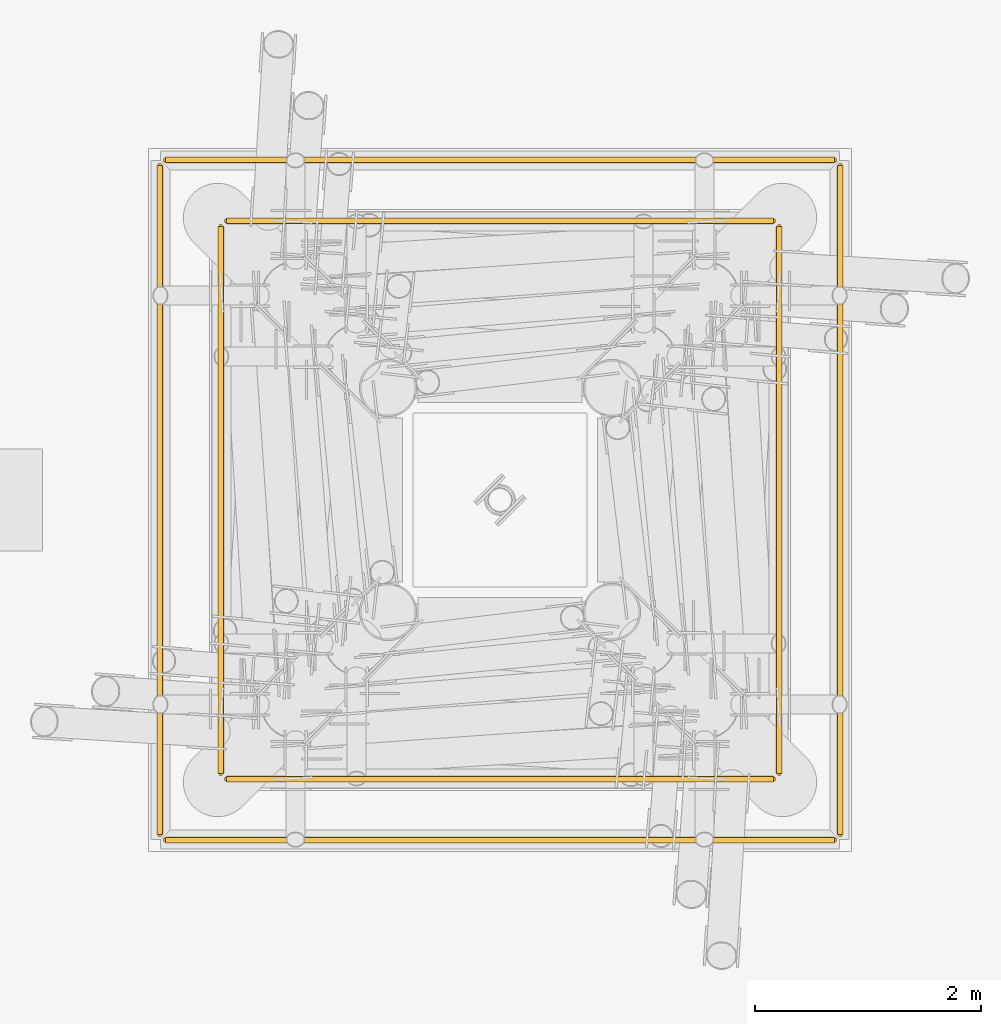
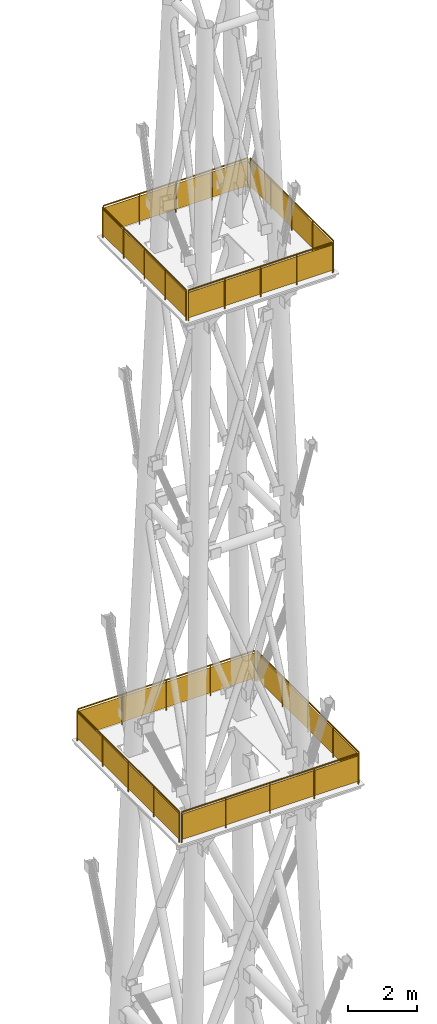
# One storey, part 25 of 25: 8 railings.
"""IFC4 building model written with IfcOpenShell, lengths in metres."""

import ifcopenshell
import ifcopenshell.guid

model = None  # the IFC model being written
_history = None  # IfcOwnerHistory: only IFC2X3 demands one
_inside = {}  # id of a spatial element -> (the spatial element, [elements in it])
_under = {}  # id of a project, library or spatial element -> (it, [spatial elements below it])
_declared = {}  # id of a project -> (the project, [libraries it declares])
_typed = {}  # id of a type object -> (the type object, [elements of that type])
_made_of = {}  # id of a material, layer set ... -> (it, [elements and type objects made of it])


def new_model(schema):
    """Start an empty IFC model of exactly this schema.

    Asked for "IFC4X3", IfcOpenShell would pick the latest addendum, in which some entities
    have other attributes; the version numbers below select the first issue.
    IFC2X3 requires an IfcOwnerHistory on every rooted entity: one is made here for all.
    """
    global model, _history
    if schema == "IFC4X3":
        model = ifcopenshell.file(schema_version=(4, 3, 0, 0))
    else:
        model = ifcopenshell.file(schema=schema)
    _inside.clear()
    _under.clear()
    _declared.clear()
    _typed.clear()
    _made_of.clear()
    _history = None
    if model.schema == "IFC2X3":
        org = make("IfcOrganization", Name="unknown")
        user = make(
            "IfcPersonAndOrganization",
            ThePerson=make("IfcPerson", FamilyName="unknown"),
            TheOrganization=org,
        )
        app = make(
            "IfcApplication",
            ApplicationDeveloper=org,
            Version="unknown",
            ApplicationFullName="unknown",
            ApplicationIdentifier="unknown",
        )
        _history = make(
            "IfcOwnerHistory",
            OwningUser=user,
            OwningApplication=app,
            ChangeAction="ADDED",
            CreationDate=0,
        )
    return model


def make(cls, **values):
    """One entity of the class cls with the attributes given. An attribute that is None is left unset."""
    return model.create_entity(
        cls, **{name: value for name, value in values.items() if value is not None}
    )


def rooted(cls, **values):
    """An entity with a GlobalId (a new one), such as an element, a storey or a relation."""
    return make(cls, GlobalId=ifcopenshell.guid.new(), OwnerHistory=_history, **values)


def si_unit(unit_type, name, prefix=None):
    """IfcSIUnit, for example si_unit("LENGTHUNIT", "METRE", prefix="MILLI")."""
    return make("IfcSIUnit", UnitType=unit_type, Prefix=prefix, Name=name)


def assignment(units):
    """IfcUnitAssignment: the units of a project."""
    return None if units is None else make("IfcUnitAssignment", Units=units)


def point(xyz):
    """IfcCartesianPoint."""
    return None if xyz is None else make("IfcCartesianPoint", Coordinates=xyz)


def direction(xyz):
    """IfcDirection."""
    return None if xyz is None else make("IfcDirection", DirectionRatios=xyz)


def frame(location, z_axis=None, x_axis=None):
    """IfcAxis2Placement3D, a coordinate frame: its origin and axes. An axis left out is left unset."""
    return make(
        "IfcAxis2Placement3D",
        Location=point(location),
        Axis=direction(z_axis),
        RefDirection=direction(x_axis),
    )


def frame_2d(location, x_axis=None):
    """IfcAxis2Placement2D, a coordinate frame in the plane: its origin and x axis."""
    return make(
        "IfcAxis2Placement2D", Location=point(location), RefDirection=direction(x_axis)
    )


def origin():
    """The frame at (0, 0, 0) with its axes left unset."""
    return frame((0.0, 0.0, 0.0))


def origin_2d():
    """The frame at (0, 0) in the plane with its x axis left unset."""
    return frame_2d((0.0, 0.0))


def place(relative_to, where):
    """IfcLocalPlacement: puts the frame where relative to a parent placement (None: the world)."""
    return make(
        "IfcLocalPlacement", PlacementRelTo=relative_to, RelativePlacement=where
    )


def context(
    kind, dimensions, precision=None, world=None, true_north=None, identifier=None
):
    """IfcGeometricRepresentationContext, for example the 3D "Model" context."""
    return make(
        "IfcGeometricRepresentationContext",
        ContextIdentifier=identifier,
        ContextType=kind,
        CoordinateSpaceDimension=dimensions,
        Precision=precision,
        WorldCoordinateSystem=world,
        TrueNorth=true_north,
    )


def subcontext(parent, identifier, kind, view, scale=None):
    """IfcGeometricRepresentationSubContext, for example "Body" below "Model"."""
    return make(
        "IfcGeometricRepresentationSubContext",
        ContextIdentifier=identifier,
        ContextType=kind,
        ParentContext=parent,
        TargetScale=scale,
        TargetView=view,
    )


def project(units=None, contexts=None):
    """IfcProject with its units and contexts."""
    return rooted(
        "IfcProject",
        Name="project",
        RepresentationContexts=contexts,
        UnitsInContext=assignment(units),
    )


def spatial(cls, under=None, at=None, **own):
    """A site, building, storey or space (cls), placed at a placement, below another one or the project."""
    s = rooted(cls, ObjectPlacement=at, **own)
    if under is not None:
        _under.setdefault(under.id(), (under, []))[1].append(s)
    return s


def profile(cls, at=None, kind="AREA", **sizes):
    """A parametric profile (cls). Its sizes go by their IFC names, for example OverallWidth=200.0."""
    return make(cls, ProfileType=kind, Position=at, **sizes)


def rectangle(**sizes):
    """IfcRectangleProfileDef."""
    return profile("IfcRectangleProfileDef", **sizes)


def circle(**sizes):
    """IfcCircleProfileDef."""
    return profile("IfcCircleProfileDef", **sizes)


def extrude(swept, where, along, depth):
    """IfcExtrudedAreaSolid: the profile swept, set in the frame where, extruded along a direction by depth."""
    return make(
        "IfcExtrudedAreaSolid",
        SweptArea=swept,
        Position=where,
        ExtrudedDirection=direction(along),
        Depth=depth,
    )


def shape(context_of_items, identifier, shape_type, items):
    """IfcShapeRepresentation: the items that make up one representation, for example the "Body"."""
    return make(
        "IfcShapeRepresentation",
        ContextOfItems=context_of_items,
        RepresentationIdentifier=identifier,
        RepresentationType=shape_type,
        Items=items,
    )


def material(Name=None, Category=None):
    """IfcMaterial."""
    return make("IfcMaterial", Name=Name, Category=Category)


def made_of(thing, what):
    """Note that an element or type object is made of a material, layer set ...; save() writes the relation."""
    if what is not None:
        _made_of.setdefault(what.id(), (what, []))[1].append(thing)
    return thing


def type_object(cls, material=None, **own):
    """A type object (cls), such as IfcWallType, which elements share."""
    return made_of(rooted(cls, **own), material)


def element(
    cls,
    number,
    at=None,
    inside=None,
    cuts=None,
    type_object=None,
    material=None,
    context=None,
    identifier="Body",
    shape_type=None,
    held_by="IfcProductDefinitionShape",
    body=None,
    shapes=None,
    **own,
):
    """One element of the class cls, such as IfcWall. Its Tag is "e" and its number.

    at: its placement. inside: the storey or other place that contains it. cuts: it is an
    opening in that element (IfcRelVoidsElement). A single representation is given by context,
    identifier, shape_type and body (its items); several are given by shapes. held_by: the class
    of the entity that holds the representations. save() writes the other relations.
    """
    e = rooted(cls, Tag="e%d" % number, ObjectPlacement=at, **own)
    if body is not None:
        shapes = [shape(context, identifier, shape_type, body)]
    if shapes is not None:
        e.Representation = make(held_by, Representations=shapes)
    if inside is not None:
        _inside.setdefault(inside.id(), (inside, []))[1].append(e)
    if cuts is not None:
        rooted(
            "IfcRelVoidsElement", RelatingBuildingElement=cuts, RelatedOpeningElement=e
        )
    if type_object is not None:
        _typed.setdefault(type_object.id(), (type_object, []))[1].append(e)
    return made_of(e, material)


def aggregate(whole, parts):
    """IfcRelAggregates: a whole, such as a stair, and the parts it consists of."""
    return rooted("IfcRelAggregates", RelatingObject=whole, RelatedObjects=parts)


def save(model, path):
    """Write the relations noted so far, then the file.

    IfcRelAggregates (storeys below a building ...), IfcRelContainedInSpatialStructure (elements
    in a storey), IfcRelDefinesByType, IfcRelAssociatesMaterial and IfcRelDeclares: one each for
    every whole, place, type object, material and project.
    """
    for whole, parts in _under.values():
        aggregate(whole, parts)
    for where, things in _inside.values():
        rooted(
            "IfcRelContainedInSpatialStructure",
            RelatedElements=things,
            RelatingStructure=where,
        )
    for kind, things in _typed.values():
        rooted("IfcRelDefinesByType", RelatedObjects=things, RelatingType=kind)
    for what, things in _made_of.values():
        rooted("IfcRelAssociatesMaterial", RelatedObjects=things, RelatingMaterial=what)
    for by, libraries in _declared.values():
        rooted("IfcRelDeclares", RelatingContext=by, RelatedDefinitions=libraries)
    model.write(path)


model = new_model("IFC4")

# Units and contexts
model_context = context("Model", 3, precision=1e-05, world=origin(), true_north=direction((0.0, 1.0)))
body_context = subcontext(model_context, "Body", "Model", "MODEL_VIEW")
ifc_project = project(units=[si_unit("LENGTHUNIT", "METRE"), si_unit("AREAUNIT", "SQUARE_METRE"), si_unit("VOLUMEUNIT", "CUBIC_METRE"), si_unit("PLANEANGLEUNIT", "RADIAN"), si_unit("MASSUNIT", "GRAM", prefix="KILO")], contexts=[model_context])

# Site, building, storey
site_placement = place(None, origin())
site = spatial("IfcSite", under=ifc_project, at=site_placement, CompositionType="ELEMENT")
building_placement = place(site_placement, origin())
building = spatial("IfcBuilding", under=site, at=building_placement, Name="Vidyagriha Tower", CompositionType="ELEMENT")
storey_placement = place(building_placement, frame((0.0, 0.0, 318.39990234375)))
storey = spatial("IfcBuildingStorey", under=building, at=storey_placement, Name="RF", CompositionType="ELEMENT", Elevation=318.39990234375)

# Railings
ifc_material = material(Name="Steel ASTM A500 Grade C galvanised", Category="steel")
railing_type = type_object("IfcRailingType", Name="Broadcast mast platform guard 1100", PredefinedType="GUARDRAIL", material=ifc_material)
railing_1_placement = place(storey_placement, frame((-2.9599609375, 9.989990234375, 23.212158203125)))
element("IfcRailing", 1, at=railing_1_placement, inside=storey, type_object=railing_type, Name="Broadcast mast platform 1 guard 1", PredefinedType="GUARDRAIL", context=body_context, shape_type="SweptSolid", body=[
    extrude(circle(Radius=0.02490234375, at=origin_2d()), frame((0.0, 0.0, 1.0751953125), z_axis=(1.0, 0.0, 0.0), x_axis=(0.0, 1.0, 0.0)), (0.0, 0.0, 1.0), 5.919921875),
    extrude(circle(Radius=0.02001953125, at=origin_2d()), origin(), (0.0, 0.0, 1.0), 1.050048828125),
    extrude(circle(Radius=0.02001953125, at=origin_2d()), frame((1.47998046875, 0.0, 0.0)), (0.0, 0.0, 1.0), 1.050048828125),
    extrude(circle(Radius=0.02001953125, at=origin_2d()), frame((2.9599609375, 0.0, 0.0)), (0.0, 0.0, 1.0), 1.050048828125),
    extrude(circle(Radius=0.02001953125, at=origin_2d()), frame((4.43994140625, 0.0, 0.0)), (0.0, 0.0, 1.0), 1.050048828125),
    extrude(circle(Radius=0.02001953125, at=origin_2d()), frame((5.919921875, 0.0, 0.0)), (0.0, 0.0, 1.0), 1.050048828125),
    extrude(rectangle(XDim=0.010009765625, YDim=0.900146484375, at=origin_2d()), frame((0.0, 0.0, 0.550048828125), z_axis=(1.0, 0.0, 0.0), x_axis=(0.0, 1.0, 0.0)), (0.0, 0.0, 1.0), 5.919921875),
])
railing_2_placement = place(storey_placement, frame((3.010009765625, 10.0400390625, 23.212158203125)))
element("IfcRailing", 2, at=railing_2_placement, inside=storey, type_object=railing_type, Name="Broadcast mast platform 1 guard 2", PredefinedType="GUARDRAIL", context=body_context, shape_type="SweptSolid", body=[
    extrude(circle(Radius=0.02490234375, at=origin_2d()), frame((0.0, 0.0, 1.0751953125), z_axis=(0.0, 1.0, 0.0), x_axis=(-1.0, 0.0, 0.0)), (0.0, 0.0, 1.0), 5.919921875),
    extrude(circle(Radius=0.02001953125, at=origin_2d()), origin(), (0.0, 0.0, 1.0), 1.050048828125),
    extrude(circle(Radius=0.02001953125, at=origin_2d()), frame((0.0, 1.47998046875, 0.0)), (0.0, 0.0, 1.0), 1.050048828125),
    extrude(circle(Radius=0.02001953125, at=origin_2d()), frame((0.0, 2.9599609375, 0.0)), (0.0, 0.0, 1.0), 1.050048828125),
    extrude(circle(Radius=0.02001953125, at=origin_2d()), frame((0.0, 4.43994140625, 0.0)), (0.0, 0.0, 1.0), 1.050048828125),
    extrude(circle(Radius=0.02001953125, at=origin_2d()), frame((0.0, 5.919921875, 0.0)), (0.0, 0.0, 1.0), 1.050048828125),
    extrude(rectangle(XDim=0.010009765625, YDim=0.900146484375, at=origin_2d()), frame((0.0, 0.0, 0.550048828125), z_axis=(0.0, 1.0, 0.0), x_axis=(-1.0, 0.0, 0.0)), (0.0, 0.0, 1.0), 5.919921875),
])
railing_3_placement = place(storey_placement, frame((2.9599609375, 16.010009765625, 23.212158203125)))
element("IfcRailing", 3, at=railing_3_placement, inside=storey, type_object=railing_type, Name="Broadcast mast platform 1 guard 3", PredefinedType="GUARDRAIL", context=body_context, shape_type="SweptSolid", body=[
    extrude(circle(Radius=0.02490234375, at=origin_2d()), frame((0.0, 0.0, 1.0751953125), z_axis=(-1.0, 0.0, 0.0), x_axis=(0.0, -1.0, 0.0)), (0.0, 0.0, 1.0), 5.919921875),
    extrude(circle(Radius=0.02001953125, at=origin_2d()), origin(), (0.0, 0.0, 1.0), 1.050048828125),
    extrude(circle(Radius=0.02001953125, at=origin_2d()), frame((-1.47998046875, 0.0, 0.0)), (0.0, 0.0, 1.0), 1.050048828125),
    extrude(circle(Radius=0.02001953125, at=origin_2d()), frame((-2.9599609375, 0.0, 0.0)), (0.0, 0.0, 1.0), 1.050048828125),
    extrude(circle(Radius=0.02001953125, at=origin_2d()), frame((-4.43994140625, 0.0, 0.0)), (0.0, 0.0, 1.0), 1.050048828125),
    extrude(circle(Radius=0.02001953125, at=origin_2d()), frame((-5.919921875, 0.0, 0.0)), (0.0, 0.0, 1.0), 1.050048828125),
    extrude(rectangle(XDim=0.010009765625, YDim=0.900146484375, at=origin_2d()), frame((0.0, 0.0, 0.550048828125), z_axis=(-1.0, 0.0, 0.0), x_axis=(0.0, -1.0, 0.0)), (0.0, 0.0, 1.0), 5.919921875),
])
railing_4_placement = place(storey_placement, frame((-3.010009765625, 15.9599609375, 23.212158203125)))
element("IfcRailing", 4, at=railing_4_placement, inside=storey, type_object=railing_type, Name="Broadcast mast platform 1 guard 4", PredefinedType="GUARDRAIL", context=body_context, shape_type="SweptSolid", body=[
    extrude(circle(Radius=0.02490234375, at=origin_2d()), frame((0.0, 0.0, 1.0751953125), z_axis=(0.0, -1.0, 0.0), x_axis=(1.0, 0.0, 0.0)), (0.0, 0.0, 1.0), 5.919921875),
    extrude(circle(Radius=0.02001953125, at=origin_2d()), origin(), (0.0, 0.0, 1.0), 1.050048828125),
    extrude(circle(Radius=0.02001953125, at=origin_2d()), frame((0.0, -1.47998046875, 0.0)), (0.0, 0.0, 1.0), 1.050048828125),
    extrude(circle(Radius=0.02001953125, at=origin_2d()), frame((0.0, -2.9599609375, 0.0)), (0.0, 0.0, 1.0), 1.050048828125),
    extrude(circle(Radius=0.02001953125, at=origin_2d()), frame((0.0, -4.43994140625, 0.0)), (0.0, 0.0, 1.0), 1.050048828125),
    extrude(circle(Radius=0.02001953125, at=origin_2d()), frame((0.0, -5.919921875, 0.0)), (0.0, 0.0, 1.0), 1.050048828125),
    extrude(rectangle(XDim=0.010009765625, YDim=0.900146484375, at=origin_2d()), frame((0.0, 0.0, 0.550048828125), z_axis=(0.0, -1.0, 0.0), x_axis=(1.0, 0.0, 0.0)), (0.0, 0.0, 1.0), 5.919921875),
])
railing_5_placement = place(storey_placement, frame((-2.419921875, 10.530029296875, 41.186767578125)))
element("IfcRailing", 5, at=railing_5_placement, inside=storey, type_object=railing_type, Name="Broadcast mast platform 2 guard 1", PredefinedType="GUARDRAIL", context=body_context, shape_type="SweptSolid", body=[
    extrude(circle(Radius=0.02490234375, at=origin_2d()), frame((0.0, 0.0, 1.0751953125), z_axis=(1.0, 0.0, 0.0), x_axis=(0.0, 1.0, 0.0)), (0.0, 0.0, 1.0), 4.83984375),
    extrude(circle(Radius=0.02001953125, at=origin_2d()), origin(), (0.0, 0.0, 1.0), 1.050048828125),
    extrude(circle(Radius=0.02001953125, at=origin_2d()), frame((1.2099609375, 0.0, 0.0)), (0.0, 0.0, 1.0), 1.050048828125),
    extrude(circle(Radius=0.02001953125, at=origin_2d()), frame((2.419921875, 0.0, 0.0)), (0.0, 0.0, 1.0), 1.050048828125),
    extrude(circle(Radius=0.02001953125, at=origin_2d()), frame((3.6298828125, 0.0, 0.0)), (0.0, 0.0, 1.0), 1.050048828125),
    extrude(circle(Radius=0.02001953125, at=origin_2d()), frame((4.83984375, 0.0, 0.0)), (0.0, 0.0, 1.0), 1.050048828125),
    extrude(rectangle(XDim=0.010009765625, YDim=0.900146484375, at=origin_2d()), frame((0.0, 0.0, 0.550048828125), z_axis=(1.0, 0.0, 0.0), x_axis=(0.0, 1.0, 0.0)), (0.0, 0.0, 1.0), 4.83984375),
])
railing_6_placement = place(storey_placement, frame((2.469970703125, 10.580078125, 41.186767578125)))
element("IfcRailing", 6, at=railing_6_placement, inside=storey, type_object=railing_type, Name="Broadcast mast platform 2 guard 2", PredefinedType="GUARDRAIL", context=body_context, shape_type="SweptSolid", body=[
    extrude(circle(Radius=0.02490234375, at=origin_2d()), frame((0.0, 0.0, 1.0751953125), z_axis=(0.0, 1.0, 0.0), x_axis=(-1.0, 0.0, 0.0)), (0.0, 0.0, 1.0), 4.83984375),
    extrude(circle(Radius=0.02001953125, at=origin_2d()), origin(), (0.0, 0.0, 1.0), 1.050048828125),
    extrude(circle(Radius=0.02001953125, at=origin_2d()), frame((0.0, 1.2099609375, 0.0)), (0.0, 0.0, 1.0), 1.050048828125),
    extrude(circle(Radius=0.02001953125, at=origin_2d()), frame((0.0, 2.419921875, 0.0)), (0.0, 0.0, 1.0), 1.050048828125),
    extrude(circle(Radius=0.02001953125, at=origin_2d()), frame((0.0, 3.6298828125, 0.0)), (0.0, 0.0, 1.0), 1.050048828125),
    extrude(circle(Radius=0.02001953125, at=origin_2d()), frame((0.0, 4.83984375, 0.0)), (0.0, 0.0, 1.0), 1.050048828125),
    extrude(rectangle(XDim=0.010009765625, YDim=0.900146484375, at=origin_2d()), frame((0.0, 0.0, 0.550048828125), z_axis=(0.0, 1.0, 0.0), x_axis=(-1.0, 0.0, 0.0)), (0.0, 0.0, 1.0), 4.83984375),
])
railing_7_placement = place(storey_placement, frame((2.419921875, 15.469970703125, 41.186767578125)))
element("IfcRailing", 7, at=railing_7_placement, inside=storey, type_object=railing_type, Name="Broadcast mast platform 2 guard 3", PredefinedType="GUARDRAIL", context=body_context, shape_type="SweptSolid", body=[
    extrude(circle(Radius=0.02490234375, at=origin_2d()), frame((0.0, 0.0, 1.0751953125), z_axis=(-1.0, 0.0, 0.0), x_axis=(0.0, -1.0, 0.0)), (0.0, 0.0, 1.0), 4.83984375),
    extrude(circle(Radius=0.02001953125, at=origin_2d()), origin(), (0.0, 0.0, 1.0), 1.050048828125),
    extrude(circle(Radius=0.02001953125, at=origin_2d()), frame((-1.2099609375, 0.0, 0.0)), (0.0, 0.0, 1.0), 1.050048828125),
    extrude(circle(Radius=0.02001953125, at=origin_2d()), frame((-2.419921875, 0.0, 0.0)), (0.0, 0.0, 1.0), 1.050048828125),
    extrude(circle(Radius=0.02001953125, at=origin_2d()), frame((-3.6298828125, 0.0, 0.0)), (0.0, 0.0, 1.0), 1.050048828125),
    extrude(circle(Radius=0.02001953125, at=origin_2d()), frame((-4.83984375, 0.0, 0.0)), (0.0, 0.0, 1.0), 1.050048828125),
    extrude(rectangle(XDim=0.010009765625, YDim=0.900146484375, at=origin_2d()), frame((0.0, 0.0, 0.550048828125), z_axis=(-1.0, 0.0, 0.0), x_axis=(0.0, -1.0, 0.0)), (0.0, 0.0, 1.0), 4.83984375),
])
railing_8_placement = place(storey_placement, frame((-2.469970703125, 15.419921875, 41.186767578125)))
element("IfcRailing", 8, at=railing_8_placement, inside=storey, type_object=railing_type, Name="Broadcast mast platform 2 guard 4", PredefinedType="GUARDRAIL", context=body_context, shape_type="SweptSolid", body=[
    extrude(circle(Radius=0.02490234375, at=origin_2d()), frame((0.0, 0.0, 1.0751953125), z_axis=(0.0, -1.0, 0.0), x_axis=(1.0, 0.0, 0.0)), (0.0, 0.0, 1.0), 4.83984375),
    extrude(circle(Radius=0.02001953125, at=origin_2d()), origin(), (0.0, 0.0, 1.0), 1.050048828125),
    extrude(circle(Radius=0.02001953125, at=origin_2d()), frame((0.0, -1.2099609375, 0.0)), (0.0, 0.0, 1.0), 1.050048828125),
    extrude(circle(Radius=0.02001953125, at=origin_2d()), frame((0.0, -2.419921875, 0.0)), (0.0, 0.0, 1.0), 1.050048828125),
    extrude(circle(Radius=0.02001953125, at=origin_2d()), frame((0.0, -3.6298828125, 0.0)), (0.0, 0.0, 1.0), 1.050048828125),
    extrude(circle(Radius=0.02001953125, at=origin_2d()), frame((0.0, -4.83984375, 0.0)), (0.0, 0.0, 1.0), 1.050048828125),
    extrude(rectangle(XDim=0.010009765625, YDim=0.900146484375, at=origin_2d()), frame((0.0, 0.0, 0.550048828125), z_axis=(0.0, -1.0, 0.0), x_axis=(1.0, 0.0, 0.0)), (0.0, 0.0, 1.0), 4.83984375),
])

save(model, "model.ifc")
